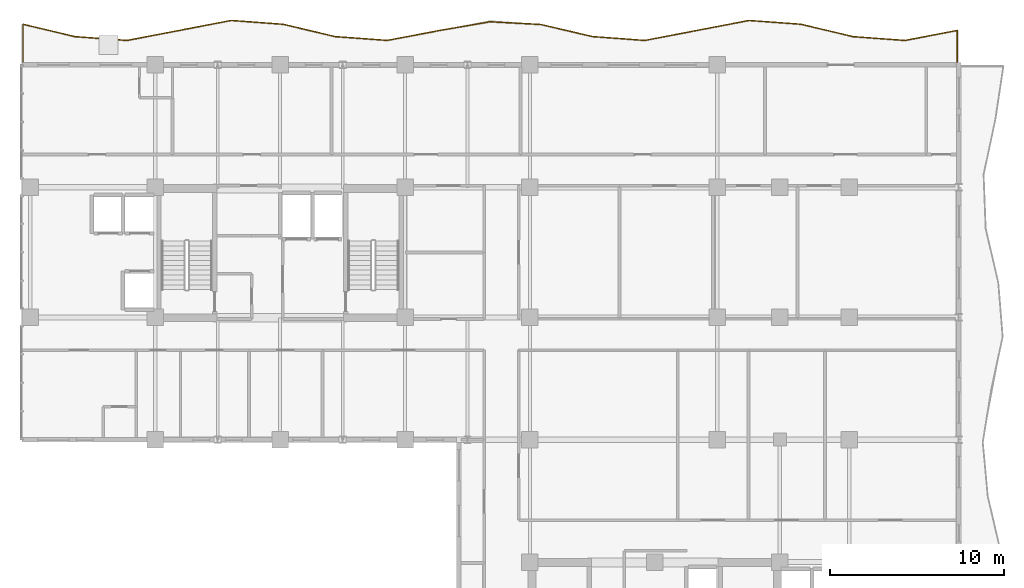
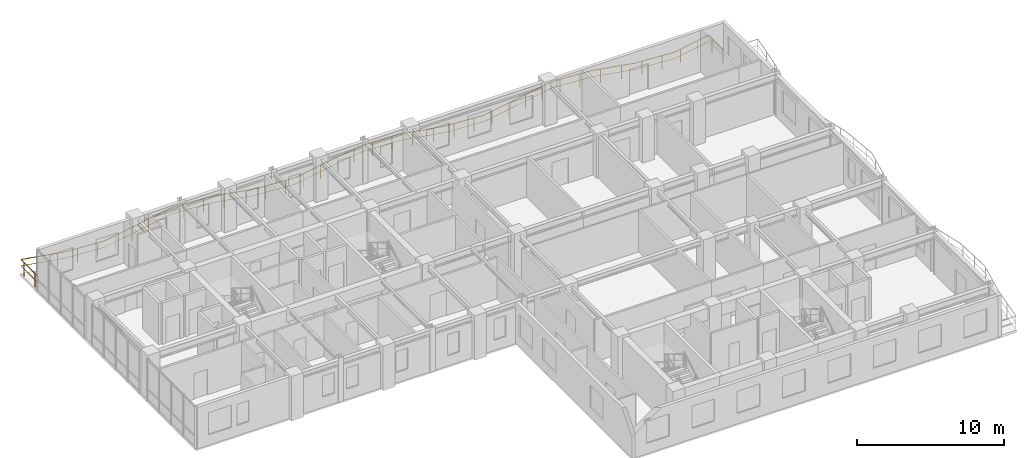
# One storey, part 20 of 20: 1 railing.
"""IFC4 building model written with IfcOpenShell, lengths in metres."""

from ifc_helpers import new_model, si_unit, direction, frame, origin, origin_2d, place, context, subcontext, project, spatial, rectangle, extrude, material, type_object, element, save


model = new_model("IFC4")

# Units and contexts
model_context = context("Model", 3, precision=1e-05, world=origin(), true_north=direction((0.0, 1.0)))
body_context = subcontext(model_context, "Body", "Model", "MODEL_VIEW")
ifc_project = project(units=[si_unit("LENGTHUNIT", "METRE"), si_unit("AREAUNIT", "SQUARE_METRE"), si_unit("VOLUMEUNIT", "CUBIC_METRE"), si_unit("PLANEANGLEUNIT", "RADIAN"), si_unit("MASSUNIT", "GRAM", prefix="KILO")], contexts=[model_context])

# Site, building, storey
site_placement = place(None, origin())
site = spatial("IfcSite", under=ifc_project, at=site_placement, CompositionType="ELEMENT")
building_placement = place(site_placement, origin())
building = spatial("IfcBuilding", under=site, at=building_placement, Name="Kaliganga Portal Commons", CompositionType="ELEMENT")
storey_placement = place(building_placement, frame((0.0, 0.0, 201.800048828125)))
storey = spatial("IfcBuildingStorey", under=building, at=storey_placement, Name="L51", CompositionType="ELEMENT", Elevation=201.800048828125)

# Railing
ifc_material = material(Name="Laminated Safety Glass and Stainless Steel 316", Category="steel")
railing_type = type_object("IfcRailingType", Name="RLG-BAL-1150", PredefinedType="BALUSTRADE", material=ifc_material)
railing_placement = place(storey_placement, frame((60.6201171875, 43.205078125, 0.0)))
element("IfcRailing", 1, at=railing_placement, inside=storey, type_object=railing_type, Name="Balcony Guardrail L51 balc_north", PredefinedType="BALUSTRADE", context=body_context, shape_type="SweptSolid", body=[
    extrude(rectangle(XDim=0.048095703125, YDim=0.048095703125, at=origin_2d()), frame((0.0, 0.0, 1.1259765625), z_axis=(0.0, 1.0, 0.0), x_axis=(-1.0, 0.0, 0.0)), (0.0, 0.0, 1.0), 1.9853515625),
    extrude(rectangle(XDim=0.028076171875, YDim=0.028076171875, at=origin_2d()), frame((0.0, 0.0, 0.597900390625), z_axis=(0.0, 1.0, 0.0), x_axis=(-1.0, 0.0, 0.0)), (0.0, 0.0, 1.0), 1.9853515625),
    extrude(rectangle(XDim=0.048095703125, YDim=0.048095703125, at=origin_2d()), frame((0.0, 1.9853515625, 1.1259765625), z_axis=(-0.981977935952, -0.1889955907, 0.0), x_axis=(0.1889955907, -0.981977935952, 0.0)), (0.0, 0.0, 1.0), 3.05517578125),
    extrude(rectangle(XDim=0.028076171875, YDim=0.028076171875, at=origin_2d()), frame((0.0, 1.9853515625, 0.597900390625), z_axis=(-0.981977935952, -0.1889955907, 0.0), x_axis=(0.1889955907, -0.981977935952, 0.0)), (0.0, 0.0, 1.0), 3.05517578125),
    extrude(rectangle(XDim=0.048095703125, YDim=0.048095703125, at=origin_2d()), frame((-3.0, 1.407958984375, 1.1259765625), z_axis=(-0.99731076678, 0.07328870625, 0.0), x_axis=(-0.07328870625, -0.99731076678, 0.0)), (0.0, 0.0, 1.0), 3.008056640625),
    extrude(rectangle(XDim=0.028076171875, YDim=0.028076171875, at=origin_2d()), frame((-3.0, 1.407958984375, 0.597900390625), z_axis=(-0.99731076678, 0.07328870625, 0.0), x_axis=(-0.07328870625, -0.99731076678, 0.0)), (0.0, 0.0, 1.0), 3.008056640625),
    extrude(rectangle(XDim=0.048095703125, YDim=0.048095703125, at=origin_2d()), frame((-6.0, 1.62841796875, 1.1259765625), z_axis=(-0.972908063116, 0.231192345728, 0.0), x_axis=(-0.231192345728, -0.972908063116, 0.0)), (0.0, 0.0, 1.0), 3.08349609375),
    extrude(rectangle(XDim=0.028076171875, YDim=0.028076171875, at=origin_2d()), frame((-6.0, 1.62841796875, 0.597900390625), z_axis=(-0.972908063116, 0.231192345728, 0.0), x_axis=(-0.231192345728, -0.972908063116, 0.0)), (0.0, 0.0, 1.0), 3.08349609375),
    extrude(rectangle(XDim=0.048095703125, YDim=0.048095703125, at=origin_2d()), frame((-9.0, 2.34130859375, 1.1259765625), z_axis=(-0.997328534337, 0.073046523511, 0.0), x_axis=(-0.073046523511, -0.997328534337, 0.0)), (0.0, 0.0, 1.0), 3.008056640625),
    extrude(rectangle(XDim=0.028076171875, YDim=0.028076171875, at=origin_2d()), frame((-9.0, 2.34130859375, 0.597900390625), z_axis=(-0.997328534337, 0.073046523511, 0.0), x_axis=(-0.073046523511, -0.997328534337, 0.0)), (0.0, 0.0, 1.0), 3.008056640625),
    extrude(rectangle(XDim=0.048095703125, YDim=0.048095703125, at=origin_2d()), frame((-12.0, 2.56103515625, 1.1259765625), z_axis=(-0.982037215628, -0.188687326343, 0.0), x_axis=(0.188687326343, -0.982037215628, 0.0)), (0.0, 0.0, 1.0), 3.054931640625),
    extrude(rectangle(XDim=0.028076171875, YDim=0.028076171875, at=origin_2d()), frame((-12.0, 2.56103515625, 0.597900390625), z_axis=(-0.982037215628, -0.188687326343, 0.0), x_axis=(0.188687326343, -0.982037215628, 0.0)), (0.0, 0.0, 1.0), 3.054931640625),
    extrude(rectangle(XDim=0.048095703125, YDim=0.048095703125, at=origin_2d()), frame((-15.0, 1.984619140625, 1.1259765625), z_axis=(-0.982140739342, -0.188147729526, 0.0), x_axis=(0.188147729526, -0.982140739342, 0.0)), (0.0, 0.0, 1.0), 3.054443359375),
    extrude(rectangle(XDim=0.028076171875, YDim=0.028076171875, at=origin_2d()), frame((-15.0, 1.984619140625, 0.597900390625), z_axis=(-0.982140739342, -0.188147729526, 0.0), x_axis=(0.188147729526, -0.982140739342, 0.0)), (0.0, 0.0, 1.0), 3.054443359375),
    extrude(rectangle(XDim=0.048095703125, YDim=0.048095703125, at=origin_2d()), frame((-18.0, 1.409912109375, 1.1259765625), z_axis=(-0.997322618282, 0.073127252529, 0.0), x_axis=(-0.073127252529, -0.997322618282, 0.0)), (0.0, 0.0, 1.0), 3.008056640625),
    extrude(rectangle(XDim=0.028076171875, YDim=0.028076171875, at=origin_2d()), frame((-18.0, 1.409912109375, 0.597900390625), z_axis=(-0.997322618282, 0.073127252529, 0.0), x_axis=(-0.073127252529, -0.997322618282, 0.0)), (0.0, 0.0, 1.0), 3.008056640625),
    extrude(rectangle(XDim=0.048095703125, YDim=0.048095703125, at=origin_2d()), frame((-21.0, 1.6298828125, 1.1259765625), z_axis=(-0.973894403738, 0.22700152063, 0.0), x_axis=(-0.22700152063, -0.973894403738, 0.0)), (0.0, 0.0, 1.0), 3.0791015625),
    extrude(rectangle(XDim=0.028076171875, YDim=0.028076171875, at=origin_2d()), frame((-21.0, 1.6298828125, 0.597900390625), z_axis=(-0.973894403738, 0.22700152063, 0.0), x_axis=(-0.22700152063, -0.973894403738, 0.0)), (0.0, 0.0, 1.0), 3.0791015625),
    extrude(rectangle(XDim=0.048095703125, YDim=0.048095703125, at=origin_2d()), frame((-23.998779296875, 2.328857421875, 1.1259765625), z_axis=(-0.998572745545, 0.053408537285, 0.0), x_axis=(-0.053408537285, -0.998572745545, 0.0)), (0.0, 0.0, 1.0), 2.925537109375),
    extrude(rectangle(XDim=0.028076171875, YDim=0.028076171875, at=origin_2d()), frame((-23.998779296875, 2.328857421875, 0.597900390625), z_axis=(-0.998572745545, 0.053408537285, 0.0), x_axis=(-0.053408537285, -0.998572745545, 0.0)), (0.0, 0.0, 1.0), 2.925537109375),
    extrude(rectangle(XDim=0.048095703125, YDim=0.048095703125, at=origin_2d()), frame((-26.920166015625, 2.485107421875, 1.1259765625), z_axis=(-0.985380574295, -0.170367613715, 0.0), x_axis=(0.170367613715, -0.985380574295, 0.0)), (0.0, 0.0, 1.0), 2.96337890625),
    extrude(rectangle(XDim=0.028076171875, YDim=0.028076171875, at=origin_2d()), frame((-26.920166015625, 2.485107421875, 0.597900390625), z_axis=(-0.985380574295, -0.170367613715, 0.0), x_axis=(0.170367613715, -0.985380574295, 0.0)), (0.0, 0.0, 1.0), 2.96337890625),
    extrude(rectangle(XDim=0.048095703125, YDim=0.048095703125, at=origin_2d()), frame((-29.84033203125, 1.980224609375, 1.1259765625), z_axis=(-0.98250822182, -0.186219209686, 0.0), x_axis=(0.186219209686, -0.98250822182, 0.0)), (0.0, 0.0, 1.0), 3.053466796875),
    extrude(rectangle(XDim=0.028076171875, YDim=0.028076171875, at=origin_2d()), frame((-29.84033203125, 1.980224609375, 0.597900390625), z_axis=(-0.98250822182, -0.186219209686, 0.0), x_axis=(0.186219209686, -0.98250822182, 0.0)), (0.0, 0.0, 1.0), 3.053466796875),
    extrude(rectangle(XDim=0.048095703125, YDim=0.048095703125, at=origin_2d()), frame((-32.84033203125, 1.41162109375, 1.1259765625), z_axis=(-0.99738106331, 0.072325753024, 0.0), x_axis=(-0.072325753024, -0.99738106331, 0.0)), (0.0, 0.0, 1.0), 3.007568359375),
    extrude(rectangle(XDim=0.028076171875, YDim=0.028076171875, at=origin_2d()), frame((-32.84033203125, 1.41162109375, 0.597900390625), z_axis=(-0.99738106331, 0.072325753024, 0.0), x_axis=(-0.072325753024, -0.99738106331, 0.0)), (0.0, 0.0, 1.0), 3.007568359375),
    extrude(rectangle(XDim=0.048095703125, YDim=0.048095703125, at=origin_2d()), frame((-35.840087890625, 1.629150390625, 1.1259765625), z_axis=(-0.973054580085, 0.230574899276, 0.0), x_axis=(-0.230574899276, -0.973054580085, 0.0)), (0.0, 0.0, 1.0), 3.083251953125),
    extrude(rectangle(XDim=0.028076171875, YDim=0.028076171875, at=origin_2d()), frame((-35.840087890625, 1.629150390625, 0.597900390625), z_axis=(-0.973054580085, 0.230574899276, 0.0), x_axis=(-0.230574899276, -0.973054580085, 0.0)), (0.0, 0.0, 1.0), 3.083251953125),
    extrude(rectangle(XDim=0.048095703125, YDim=0.048095703125, at=origin_2d()), frame((-38.84033203125, 2.340087890625, 1.1259765625), z_axis=(-0.997298889424, 0.07345015421, 0.0), x_axis=(-0.07345015421, -0.997298889424, 0.0)), (0.0, 0.0, 1.0), 3.008056640625),
    extrude(rectangle(XDim=0.028076171875, YDim=0.028076171875, at=origin_2d()), frame((-38.84033203125, 2.340087890625, 0.597900390625), z_axis=(-0.997298889424, 0.07345015421, 0.0), x_axis=(-0.07345015421, -0.997298889424, 0.0)), (0.0, 0.0, 1.0), 3.008056640625),
    extrude(rectangle(XDim=0.048095703125, YDim=0.048095703125, at=origin_2d()), frame((-41.84033203125, 2.56103515625, 1.1259765625), z_axis=(-0.982049178162, -0.188625055788, 0.0), x_axis=(0.188625055788, -0.982049178162, 0.0)), (0.0, 0.0, 1.0), 3.0546875),
    extrude(rectangle(XDim=0.028076171875, YDim=0.028076171875, at=origin_2d()), frame((-41.84033203125, 2.56103515625, 0.597900390625), z_axis=(-0.982049178162, -0.188625055788, 0.0), x_axis=(0.188625055788, -0.982049178162, 0.0)), (0.0, 0.0, 1.0), 3.0546875),
    extrude(rectangle(XDim=0.048095703125, YDim=0.048095703125, at=origin_2d()), frame((-44.840087890625, 1.98486328125, 1.1259765625), z_axis=(-0.98202240411, -0.188764397665, 0.0), x_axis=(0.188764397665, -0.98202240411, 0.0)), (0.0, 0.0, 1.0), 3.054931640625),
    extrude(rectangle(XDim=0.028076171875, YDim=0.028076171875, at=origin_2d()), frame((-44.840087890625, 1.98486328125, 0.597900390625), z_axis=(-0.98202240411, -0.188764397665, 0.0), x_axis=(0.188764397665, -0.98202240411, 0.0)), (0.0, 0.0, 1.0), 3.054931640625),
    extrude(rectangle(XDim=0.048095703125, YDim=0.048095703125, at=origin_2d()), frame((-47.840087890625, 1.408203125, 1.1259765625), z_axis=(-0.997316695763, 0.073207980109, 0.0), x_axis=(-0.073207980109, -0.997316695763, 0.0)), (0.0, 0.0, 1.0), 3.008056640625),
    extrude(rectangle(XDim=0.028076171875, YDim=0.028076171875, at=origin_2d()), frame((-47.840087890625, 1.408203125, 0.597900390625), z_axis=(-0.997316695763, 0.073207980109, 0.0), x_axis=(-0.073207980109, -0.997316695763, 0.0)), (0.0, 0.0, 1.0), 3.008056640625),
    extrude(rectangle(XDim=0.048095703125, YDim=0.048095703125, at=origin_2d()), frame((-50.840087890625, 1.62841796875, 1.1259765625), z_axis=(-0.972836786762, 0.231492086954, 0.0), x_axis=(-0.231492086954, -0.972836786762, 0.0)), (0.0, 0.0, 1.0), 3.083740234375),
    extrude(rectangle(XDim=0.028076171875, YDim=0.028076171875, at=origin_2d()), frame((-50.840087890625, 1.62841796875, 0.597900390625), z_axis=(-0.972836786762, 0.231492086954, 0.0), x_axis=(-0.231492086954, -0.972836786762, 0.0)), (0.0, 0.0, 1.0), 3.083740234375),
    extrude(rectangle(XDim=0.048095703125, YDim=0.048095703125, at=origin_2d()), frame((-53.840087890625, 2.34228515625, 1.1259765625), z_axis=(-0.000104231811, -0.999999994568, 0.0), x_axis=(0.999999994568, -0.000104231811, 0.0)), (0.0, 0.0, 1.0), 2.34228515625),
    extrude(rectangle(XDim=0.028076171875, YDim=0.028076171875, at=origin_2d()), frame((-53.840087890625, 2.34228515625, 0.597900390625), z_axis=(-0.000104231811, -0.999999994568, 0.0), x_axis=(0.999999994568, -0.000104231811, 0.0)), (0.0, 0.0, 1.0), 2.34228515625),
    extrude(rectangle(XDim=0.0419921875, YDim=0.0419921875, at=origin_2d()), origin(), (0.0, 0.0, 1.0), 1.101806640625),
    extrude(rectangle(XDim=0.0419921875, YDim=0.0419921875, at=origin_2d()), frame((0.0, 1.5, 0.0)), (0.0, 0.0, 1.0), 1.101806640625),
    extrude(rectangle(XDim=0.0419921875, YDim=0.0419921875, at=origin_2d()), frame((-0.996337890625, 1.793701171875, 0.0)), (0.0, 0.0, 1.0), 1.101806640625),
    extrude(rectangle(XDim=0.0419921875, YDim=0.0419921875, at=origin_2d()), frame((-2.46923828125, 1.510009765625, 0.0)), (0.0, 0.0, 1.0), 1.101806640625),
    extrude(rectangle(XDim=0.0419921875, YDim=0.0419921875, at=origin_2d()), frame((-3.95703125, 1.478271484375, 0.0)), (0.0, 0.0, 1.0), 1.101806640625),
    extrude(rectangle(XDim=0.0419921875, YDim=0.0419921875, at=origin_2d()), frame((-5.452880859375, 1.588134765625, 0.0)), (0.0, 0.0, 1.0), 1.101806640625),
    extrude(rectangle(XDim=0.0419921875, YDim=0.0419921875, at=origin_2d()), frame((-6.92578125, 1.848388671875, 0.0)), (0.0, 0.0, 1.0), 1.101806640625),
    extrude(rectangle(XDim=0.0419921875, YDim=0.0419921875, at=origin_2d()), frame((-8.385009765625, 2.195068359375, 0.0)), (0.0, 0.0, 1.0), 1.101806640625),
    extrude(rectangle(XDim=0.0419921875, YDim=0.0419921875, at=origin_2d()), frame((-9.86572265625, 2.40478515625, 0.0)), (0.0, 0.0, 1.0), 1.101806640625),
    extrude(rectangle(XDim=0.0419921875, YDim=0.0419921875, at=origin_2d()), frame((-11.361572265625, 2.51416015625, 0.0)), (0.0, 0.0, 1.0), 1.101806640625),
    extrude(rectangle(XDim=0.0419921875, YDim=0.0419921875, at=origin_2d()), frame((-12.844482421875, 2.398681640625, 0.0)), (0.0, 0.0, 1.0), 1.101806640625),
    extrude(rectangle(XDim=0.0419921875, YDim=0.0419921875, at=origin_2d()), frame((-14.317626953125, 2.11572265625, 0.0)), (0.0, 0.0, 1.0), 1.101806640625),
    extrude(rectangle(XDim=0.0419921875, YDim=0.0419921875, at=origin_2d()), frame((-15.790771484375, 1.833251953125, 0.0)), (0.0, 0.0, 1.0), 1.101806640625),
    extrude(rectangle(XDim=0.0419921875, YDim=0.0419921875, at=origin_2d()), frame((-17.263916015625, 1.551025390625, 0.0)), (0.0, 0.0, 1.0), 1.101806640625),
    extrude(rectangle(XDim=0.0419921875, YDim=0.0419921875, at=origin_2d()), frame((-18.74853515625, 1.46484375, 0.0)), (0.0, 0.0, 1.0), 1.101806640625),
    extrude(rectangle(XDim=0.0419921875, YDim=0.0419921875, at=origin_2d()), frame((-20.244384765625, 1.574462890625, 0.0)), (0.0, 0.0, 1.0), 1.101806640625),
    extrude(rectangle(XDim=0.0419921875, YDim=0.0419921875, at=origin_2d()), frame((-21.72314453125, 1.79833984375, 0.0)), (0.0, 0.0, 1.0), 1.101806640625),
    extrude(rectangle(XDim=0.0419921875, YDim=0.0419921875, at=origin_2d()), frame((-23.183837890625, 2.138916015625, 0.0)), (0.0, 0.0, 1.0), 1.101806640625),
    extrude(rectangle(XDim=0.0419921875, YDim=0.0419921875, at=origin_2d()), frame((-24.6611328125, 2.3642578125, 0.0)), (0.0, 0.0, 1.0), 1.101806640625),
    extrude(rectangle(XDim=0.0419921875, YDim=0.0419921875, at=origin_2d()), frame((-26.158935546875, 2.4443359375, 0.0)), (0.0, 0.0, 1.0), 1.101806640625),
    extrude(rectangle(XDim=0.0419921875, YDim=0.0419921875, at=origin_2d()), frame((-27.647216796875, 2.359375, 0.0)), (0.0, 0.0, 1.0), 1.101806640625),
    extrude(rectangle(XDim=0.0419921875, YDim=0.0419921875, at=origin_2d()), frame((-29.125244140625, 2.103759765625, 0.0)), (0.0, 0.0, 1.0), 1.101806640625),
    extrude(rectangle(XDim=0.0419921875, YDim=0.0419921875, at=origin_2d()), frame((-30.60107421875, 1.8359375, 0.0)), (0.0, 0.0, 1.0), 1.101806640625),
    extrude(rectangle(XDim=0.0419921875, YDim=0.0419921875, at=origin_2d()), frame((-32.07470703125, 1.556640625, 0.0)), (0.0, 0.0, 1.0), 1.101806640625),
    extrude(rectangle(XDim=0.0419921875, YDim=0.0419921875, at=origin_2d()), frame((-33.559326171875, 1.4638671875, 0.0)), (0.0, 0.0, 1.0), 1.101806640625),
    extrude(rectangle(XDim=0.0419921875, YDim=0.0419921875, at=origin_2d()), frame((-35.055419921875, 1.572265625, 0.0)), (0.0, 0.0, 1.0), 1.101806640625),
    extrude(rectangle(XDim=0.0419921875, YDim=0.0419921875, at=origin_2d()), frame((-36.5341796875, 1.793701171875, 0.0)), (0.0, 0.0, 1.0), 1.101806640625),
    extrude(rectangle(XDim=0.0419921875, YDim=0.0419921875, at=origin_2d()), frame((-37.99365234375, 2.139404296875, 0.0)), (0.0, 0.0, 1.0), 1.101806640625),
    extrude(rectangle(XDim=0.0419921875, YDim=0.0419921875, at=origin_2d()), frame((-39.468505859375, 2.38623046875, 0.0)), (0.0, 0.0, 1.0), 1.101806640625),
    extrude(rectangle(XDim=0.0419921875, YDim=0.0419921875, at=origin_2d()), frame((-40.96435546875, 2.49658203125, 0.0)), (0.0, 0.0, 1.0), 1.101806640625),
    extrude(rectangle(XDim=0.0419921875, YDim=0.0419921875, at=origin_2d()), frame((-42.450927734375, 2.44384765625, 0.0)), (0.0, 0.0, 1.0), 1.101806640625),
    extrude(rectangle(XDim=0.0419921875, YDim=0.0419921875, at=origin_2d()), frame((-43.924072265625, 2.160888671875, 0.0)), (0.0, 0.0, 1.0), 1.101806640625),
    extrude(rectangle(XDim=0.0419921875, YDim=0.0419921875, at=origin_2d()), frame((-45.39697265625, 1.877685546875, 0.0)), (0.0, 0.0, 1.0), 1.101806640625),
    extrude(rectangle(XDim=0.0419921875, YDim=0.0419921875, at=origin_2d()), frame((-46.8701171875, 1.5947265625, 0.0)), (0.0, 0.0, 1.0), 1.101806640625),
    extrude(rectangle(XDim=0.0419921875, YDim=0.0419921875, at=origin_2d()), frame((-48.350830078125, 1.44580078125, 0.0)), (0.0, 0.0, 1.0), 1.101806640625),
    extrude(rectangle(XDim=0.0419921875, YDim=0.0419921875, at=origin_2d()), frame((-49.846923828125, 1.555419921875, 0.0)), (0.0, 0.0, 1.0), 1.101806640625),
    extrude(rectangle(XDim=0.0419921875, YDim=0.0419921875, at=origin_2d()), frame((-51.33056640625, 1.7451171875, 0.0)), (0.0, 0.0, 1.0), 1.101806640625),
    extrude(rectangle(XDim=0.0419921875, YDim=0.0419921875, at=origin_2d()), frame((-52.789794921875, 2.09228515625, 0.0)), (0.0, 0.0, 1.0), 1.101806640625),
    extrude(rectangle(XDim=0.0419921875, YDim=0.0419921875, at=origin_2d()), frame((-53.840087890625, 1.921875, 0.0)), (0.0, 0.0, 1.0), 1.101806640625),
    extrude(rectangle(XDim=0.0419921875, YDim=0.0419921875, at=origin_2d()), frame((-53.84033203125, 0.421875, 0.0)), (0.0, 0.0, 1.0), 1.101806640625),
    extrude(rectangle(XDim=0.0419921875, YDim=0.0419921875, at=origin_2d()), frame((-53.84033203125, 0.0, 0.0)), (0.0, 0.0, 1.0), 1.101806640625),
])

save(model, "model.ifc")
